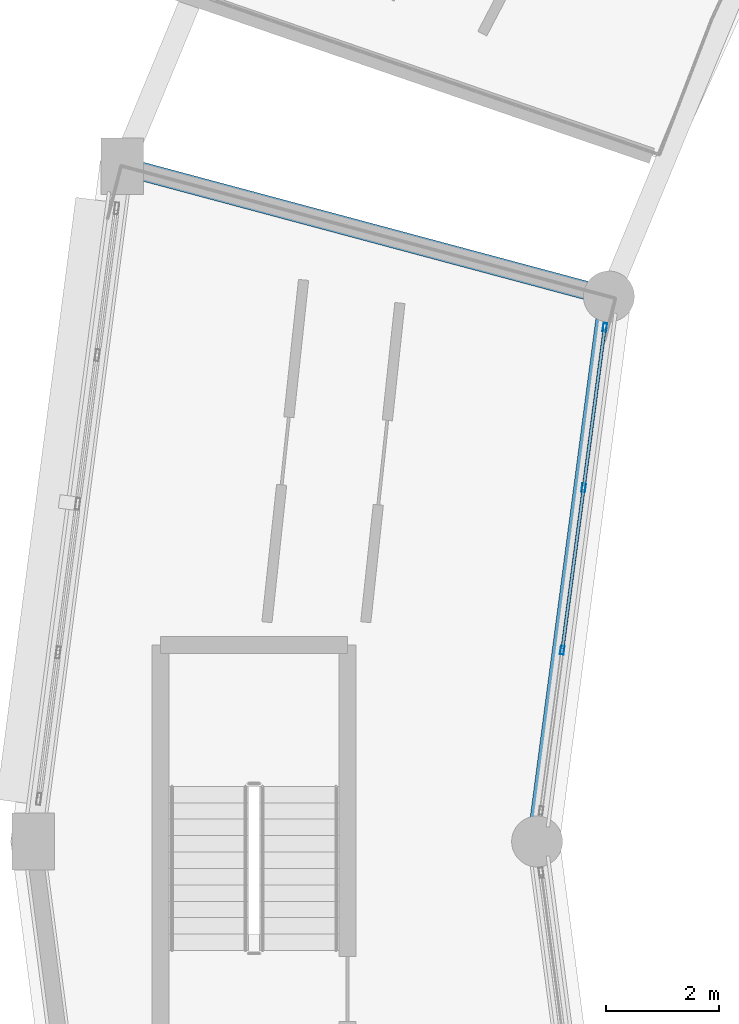
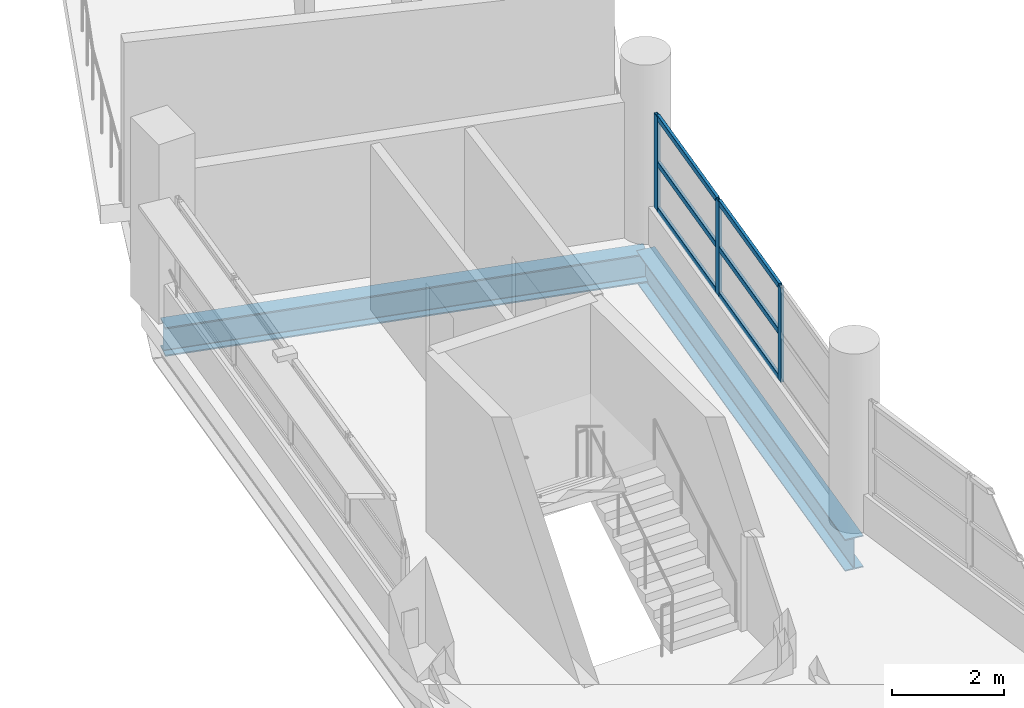
# One storey, part 56 of 108: 9 members, 2 beams, 1 element without a shape of its own.
"""IFC4 building model written with IfcOpenShell, lengths in metres."""

from ifc_helpers import new_model, si_unit, direction, frame, origin, origin_2d, place, context, subcontext, project, spatial, hollow_rectangle, i_section, extrude, material, layer, layer_set, material_profile, profile_set, type_object, element, aggregate, save


model = new_model("IFC4")

# Units and contexts
model_context = context("Model", 3, precision=1e-05, world=origin(), true_north=direction((0.0, 1.0)))
body_context = subcontext(model_context, "Body", "Model", "MODEL_VIEW")
ifc_project = project(units=[si_unit("LENGTHUNIT", "METRE"), si_unit("AREAUNIT", "SQUARE_METRE"), si_unit("VOLUMEUNIT", "CUBIC_METRE"), si_unit("PLANEANGLEUNIT", "RADIAN"), si_unit("MASSUNIT", "GRAM", prefix="KILO")], contexts=[model_context])

# Site, building, storey
site_placement = place(None, origin())
site = spatial("IfcSite", under=ifc_project, at=site_placement, CompositionType="ELEMENT")
building_placement = place(site_placement, origin())
building = spatial("IfcBuilding", under=site, at=building_placement, Name="Vespera Passage Community Centre", CompositionType="ELEMENT")
storey_placement = place(building_placement, frame((0.0, 0.0, 12.60009765625)))
storey = spatial("IfcBuildingStorey", under=building, at=storey_placement, Name="L03", CompositionType="ELEMENT", Elevation=12.60009765625)

# Beams
ifc_material_1 = material(Name="Steel ASTM A992 Grade 50", Category="steel")
ifc_material_profile_1 = material_profile(ifc_material_1, i_section(OverallWidth=0.32763671875, OverallDepth=0.62841796875, WebThickness=0.0166015625, FlangeThickness=0.027587890625, FilletRadius=0.0126953125, at=origin_2d()), Name="W24X146")
ifc_profile_set_1 = profile_set([ifc_material_profile_1], Name="Steel ASTM A992 Grade 50")
beam_type_1 = type_object("IfcBeamType", Name="BM-G-W24X146", PredefinedType="BEAM", material=ifc_profile_set_1)
beam_1_placement = place(storey_placement, frame((42.067626953125, 75.128173828125, -0.71435546875), z_axis=(-0.9659278487, 0.258811497245, 0.0), x_axis=(-0.258811497245, -0.9659278487, 0.0)))
element("IfcBeam", 1, at=beam_1_placement, inside=storey, type_object=beam_type_1, Name="V4 L03 Radial Girder 11", PredefinedType="BEAM", context=body_context, shape_type="SweptSolid", body=[
    extrude(i_section(OverallWidth=0.32763671875, OverallDepth=0.62841796875, WebThickness=0.0166015625, FlangeThickness=0.027587890625, FilletRadius=0.0126953125, at=origin_2d()), origin(), (0.0, 0.0, 1.0), 8.900146484375),
])
ifc_material_2 = material(Name="Steel ASTM A992 Grade 50", Category="steel")
ifc_material_profile_2 = material_profile(ifc_material_2, i_section(OverallWidth=0.3544921875, OverallDepth=0.695556640625, WebThickness=0.015380859375, FlangeThickness=0.024658203125, FilletRadius=0.01513671875, at=origin_2d()), Name="W27X146")
ifc_profile_set_2 = profile_set([ifc_material_profile_2], Name="Steel ASTM A992 Grade 50")
beam_type_2 = type_object("IfcBeamType", Name="BM-SP-W27X146E", PredefinedType="SPANDREL", material=ifc_profile_set_2)
beam_2_placement = place(storey_placement, frame((42.067626953125, 75.128173828125, -0.747802734375), z_axis=(-0.130526697639, -0.991444794834, 0.0), x_axis=(0.991444794834, -0.130526697639, 0.0)))
element("IfcBeam", 2, at=beam_2_placement, inside=storey, type_object=beam_type_2, Name="V4 L03 Inner Spandrel 11", PredefinedType="SPANDREL", context=body_context, shape_type="SweptSolid", body=[
    extrude(i_section(OverallWidth=0.3544921875, OverallDepth=0.695556640625, WebThickness=0.015380859375, FlangeThickness=0.024658203125, FilletRadius=0.01513671875, at=origin_2d()), origin(), (0.0, 0.0, 1.0), 9.711181640625),
])

# Curtain wall, members
ifc_material_3 = material(Name="Anodized aluminium 6063-T6", Category="aluminium")
ifc_layer = layer(ifc_material_3, 0.159912109375)
ifc_layer_set = layer_set([ifc_layer], Name="Anodized aluminium 6063-T6")
curtain_wall_type = type_object("IfcCurtainWallType", Name="CW-42E", PredefinedType="NOTDEFINED", material=ifc_layer_set)
curtain_wall_placement = place(storey_placement, origin())
curtain_wall = element("IfcCurtainWall", 3, at=curtain_wall_placement, inside=storey, type_object=curtain_wall_type, Name="V4 L03 Inner Court Curtain Wall 11", PredefinedType="NOTDEFINED")
ifc_material_4 = material(Name="Anodized aluminium 6063-T6", Category="aluminium")
ifc_material_profile_3 = material_profile(ifc_material_4, hollow_rectangle(XDim=0.06494140625, YDim=0.14990234375, WallThickness=0.00390625, InnerFilletRadius=0.001953125, OuterFilletRadius=0.00390625, at=origin_2d()), Name="ALU150X65X4")
ifc_profile_set_3 = profile_set([ifc_material_profile_3], Name="Anodized aluminium 6063-T6")
member_type_1 = type_object("IfcMemberType", Name="MB-CWM-150E", PredefinedType="MULLION", material=ifc_profile_set_3)
member_1_placement = place(storey_placement, frame((41.995849609375, 74.582763671875, 0.81982421875), z_axis=(0.0, 0.0, 1.0), x_axis=(0.991445387728, -0.1305221941, 0.0)))
member_1 = element("IfcMember", 4, at=member_1_placement, type_object=member_type_1, Name="CW-42E mullion 1", PredefinedType="MULLION", context=body_context, shape_type="SweptSolid", body=[
    extrude(hollow_rectangle(XDim=0.06494140625, YDim=0.14990234375, WallThickness=0.00390625, InnerFilletRadius=0.001953125, OuterFilletRadius=0.00390625, at=origin_2d()), origin(), (0.0, 0.0, 1.0), 2.049560546875),
])
member_2_placement = place(storey_placement, frame((41.62255859375, 71.74755859375, 0.81982421875), z_axis=(0.0, 0.0, 1.0), x_axis=(0.991445387728, -0.1305221941, 0.0)))
member_2 = element("IfcMember", 5, at=member_2_placement, type_object=member_type_1, Name="CW-42E mullion 2", PredefinedType="MULLION", context=body_context, shape_type="SweptSolid", body=[
    extrude(hollow_rectangle(XDim=0.06494140625, YDim=0.14990234375, WallThickness=0.00390625, InnerFilletRadius=0.001953125, OuterFilletRadius=0.00390625, at=origin_2d()), origin(), (0.0, 0.0, 1.0), 2.049560546875),
])
member_3_placement = place(storey_placement, frame((41.2451171875, 68.88037109375, 0.81982421875), z_axis=(0.0, 0.0, 1.0), x_axis=(0.991445387728, -0.1305221941, 0.0)))
member_3 = element("IfcMember", 6, at=member_3_placement, type_object=member_type_1, Name="CW-42E mullion 3", PredefinedType="MULLION", context=body_context, shape_type="SweptSolid", body=[
    extrude(hollow_rectangle(XDim=0.06494140625, YDim=0.14990234375, WallThickness=0.00390625, InnerFilletRadius=0.001953125, OuterFilletRadius=0.00390625, at=origin_2d()), origin(), (0.0, 0.0, 1.0), 2.049560546875),
])
ifc_material_5 = material(Name="Anodized aluminium 6063-T6", Category="aluminium")
ifc_material_profile_4 = material_profile(ifc_material_5, hollow_rectangle(XDim=0.06005859375, YDim=0.1201171875, WallThickness=0.00390625, InnerFilletRadius=0.001953125, OuterFilletRadius=0.00390625, at=origin_2d()), Name="ALU120X60X4")
ifc_profile_set_4 = profile_set([ifc_material_profile_4], Name="Anodized aluminium 6063-T6")
member_type_2 = type_object("IfcMemberType", Name="MB-CWT-120E", PredefinedType="USERDEFINED", material=ifc_profile_set_4)
member_4_placement = place(storey_placement, frame((41.991455078125, 74.550537109375, 0.849853515625), z_axis=(-0.130515527399, -0.991446265366, 0.0), x_axis=(0.991446265366, -0.130515527399, 0.0)))
member_4 = element("IfcMember", 7, at=member_4_placement, type_object=member_type_2, Name="CW-42E transom 1.1", ObjectType="TRANSOM", PredefinedType="USERDEFINED", context=body_context, shape_type="SweptSolid", body=[
    extrude(hollow_rectangle(XDim=0.06005859375, YDim=0.1201171875, WallThickness=0.00390625, InnerFilletRadius=0.001953125, OuterFilletRadius=0.00390625, at=origin_2d()), origin(), (0.0, 0.0, 1.0), 2.794677734375),
])
member_5_placement = place(storey_placement, frame((41.991455078125, 74.550537109375, 1.844482421875), z_axis=(-0.130515527399, -0.991446265366, 0.0), x_axis=(0.991446265366, -0.130515527399, 0.0)))
member_5 = element("IfcMember", 8, at=member_5_placement, type_object=member_type_2, Name="CW-42E transom 1.2", ObjectType="TRANSOM", PredefinedType="USERDEFINED", context=body_context, shape_type="SweptSolid", body=[
    extrude(hollow_rectangle(XDim=0.06005859375, YDim=0.1201171875, WallThickness=0.00390625, InnerFilletRadius=0.001953125, OuterFilletRadius=0.00390625, at=origin_2d()), origin(), (0.0, 0.0, 1.0), 2.794677734375),
])
member_6_placement = place(storey_placement, frame((41.991455078125, 74.550537109375, 2.83935546875), z_axis=(-0.130515527399, -0.991446265366, 0.0), x_axis=(0.991446265366, -0.130515527399, 0.0)))
member_6 = element("IfcMember", 9, at=member_6_placement, type_object=member_type_2, Name="CW-42E transom 1.3", ObjectType="TRANSOM", PredefinedType="USERDEFINED", context=body_context, shape_type="SweptSolid", body=[
    extrude(hollow_rectangle(XDim=0.06005859375, YDim=0.1201171875, WallThickness=0.00390625, InnerFilletRadius=0.001953125, OuterFilletRadius=0.00390625, at=origin_2d()), origin(), (0.0, 0.0, 1.0), 2.794677734375),
])
member_7_placement = place(storey_placement, frame((41.618408203125, 71.71533203125, 0.849853515625), z_axis=(-0.130579616175, -0.991437826512, 0.0), x_axis=(0.991437826512, -0.130579616175, 0.0)))
member_7 = element("IfcMember", 10, at=member_7_placement, type_object=member_type_2, Name="CW-42E transom 2.1", ObjectType="TRANSOM", PredefinedType="USERDEFINED", context=body_context, shape_type="SweptSolid", body=[
    extrude(hollow_rectangle(XDim=0.06005859375, YDim=0.1201171875, WallThickness=0.00390625, InnerFilletRadius=0.001953125, OuterFilletRadius=0.00390625, at=origin_2d()), origin(), (0.0, 0.0, 1.0), 2.826904296875),
])
member_8_placement = place(storey_placement, frame((41.618408203125, 71.71533203125, 1.844482421875), z_axis=(-0.130579616175, -0.991437826512, 0.0), x_axis=(0.991437826512, -0.130579616175, 0.0)))
member_8 = element("IfcMember", 11, at=member_8_placement, type_object=member_type_2, Name="CW-42E transom 2.2", ObjectType="TRANSOM", PredefinedType="USERDEFINED", context=body_context, shape_type="SweptSolid", body=[
    extrude(hollow_rectangle(XDim=0.06005859375, YDim=0.1201171875, WallThickness=0.00390625, InnerFilletRadius=0.001953125, OuterFilletRadius=0.00390625, at=origin_2d()), origin(), (0.0, 0.0, 1.0), 2.826904296875),
])
member_9_placement = place(storey_placement, frame((41.618408203125, 71.71533203125, 2.83935546875), z_axis=(-0.130579616175, -0.991437826512, 0.0), x_axis=(0.991437826512, -0.130579616175, 0.0)))
member_9 = element("IfcMember", 12, at=member_9_placement, type_object=member_type_2, Name="CW-42E transom 2.3", ObjectType="TRANSOM", PredefinedType="USERDEFINED", context=body_context, shape_type="SweptSolid", body=[
    extrude(hollow_rectangle(XDim=0.06005859375, YDim=0.1201171875, WallThickness=0.00390625, InnerFilletRadius=0.001953125, OuterFilletRadius=0.00390625, at=origin_2d()), origin(), (0.0, 0.0, 1.0), 2.826904296875),
])
aggregate(curtain_wall, [member_1, member_2, member_3, member_4, member_5, member_6, member_7, member_8, member_9])

save(model, "model.ifc")
